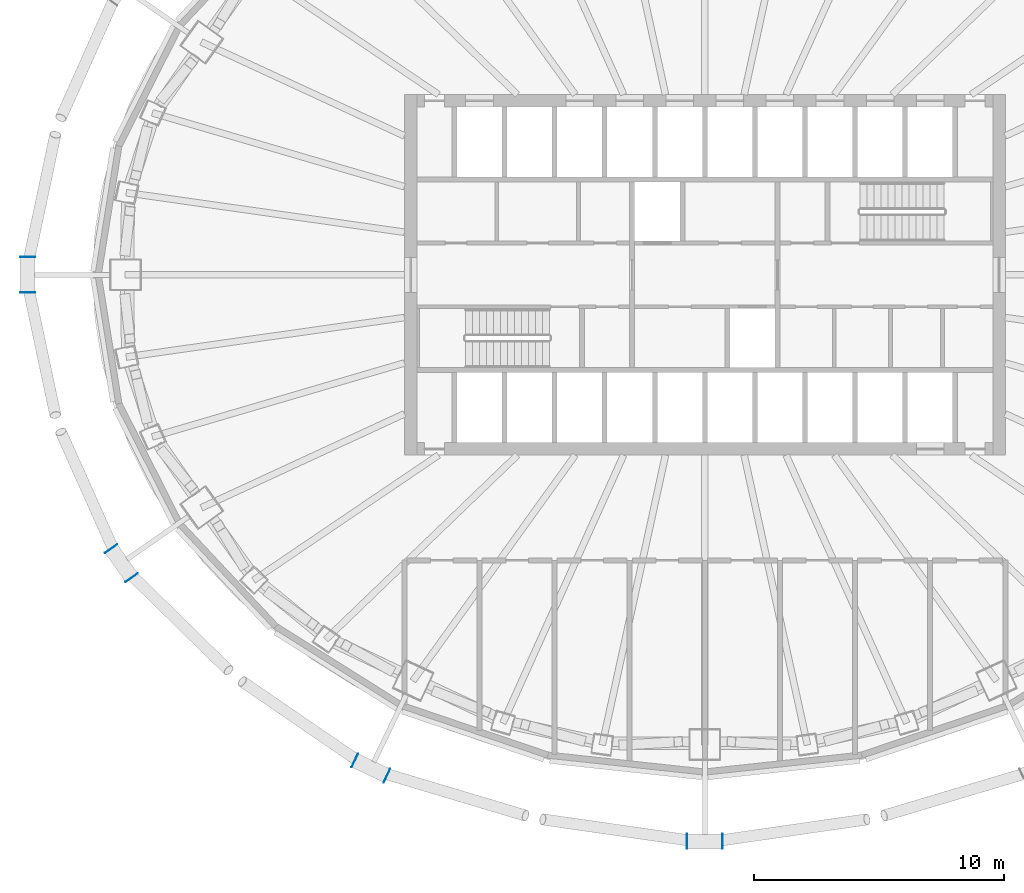
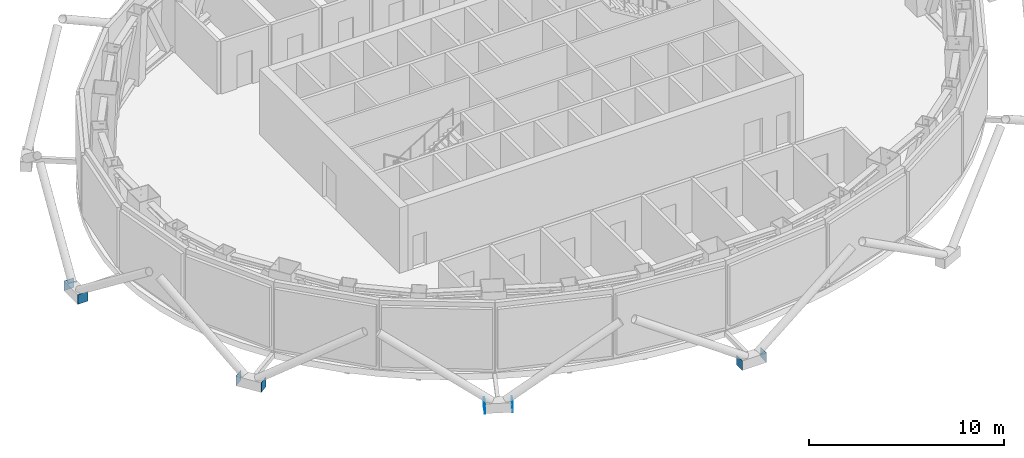
# One storey, part 9 of 16: 8 discrete accessories.
"""IFC4 building model written with IfcOpenShell, lengths in metres."""

from ifc_helpers import new_model, si_unit, direction, frame, origin, origin_2d, place, context, subcontext, project, spatial, rectangle, extrude, material, layer, layer_set, type_object, element, save


model = new_model("IFC4")

# Units and contexts
model_context = context("Model", 3, precision=1e-05, world=origin(), true_north=direction((0.0, 1.0)))
body_context = subcontext(model_context, "Body", "Model", "MODEL_VIEW")
ifc_project = project(units=[si_unit("LENGTHUNIT", "METRE"), si_unit("AREAUNIT", "SQUARE_METRE"), si_unit("VOLUMEUNIT", "CUBIC_METRE"), si_unit("PLANEANGLEUNIT", "RADIAN"), si_unit("MASSUNIT", "GRAM", prefix="KILO")], contexts=[model_context])

# Site, building, storey
site_placement = place(None, origin())
site = spatial("IfcSite", under=ifc_project, at=site_placement, CompositionType="ELEMENT")
building_placement = place(site_placement, origin())
building = spatial("IfcBuilding", under=site, at=building_placement, Name="Siaravel Broadcast Tower", CompositionType="ELEMENT")
storey_placement = place(building_placement, frame((0.0, 0.0, 152.60009765625)))
storey = spatial("IfcBuildingStorey", under=building, at=storey_placement, Name="L36", CompositionType="ELEMENT", Elevation=152.60009765625)

# Discrete accessories
ifc_material = material(Name="Steel S355", Category="steel")
ifc_layer = layer(ifc_material, 0.02001953125)
ifc_layer_set = layer_set([ifc_layer], Name="Steel S355")
discrete_accessory_type = type_object("IfcDiscreteAccessoryType", Name="Steel end plate 20 mm", PredefinedType="USERDEFINED", material=ifc_layer_set)
for number, where, z_axis, x_axis, name in (
    (1, (-27.052734375, -0.7099609375, -0.500244140625), (0.0, 0.0, 1.0), (0.0, -1.0, 0.0), "End plate R15 station 36A"),
    (2, (-27.052734375, 0.7099609375, -0.500244140625), (0.0, 0.0, 1.0), (0.0, -1.0, 0.0), "End plate R15 station 36B"),
    (3, (-22.892822265625, -12.093017578125, -0.500244140625), (0.0, 0.0, 1.0), (0.576118513, -0.817366172, 0.0), "End plate R15 station 42A"),
    (4, (-23.7109375, -10.9326171875, -0.500244140625), (0.0, 0.0, 1.0), (0.576118513, -0.817366172, 0.0), "End plate R15 station 42B"),
    (5, (-12.6962890625, -20.0, -0.500244140625), (0.0, 0.0, 1.0), (0.904006456, -0.427518805, 0.0), "End plate R15 station 48A"),
    (6, (-13.9794921875, -19.39306640625, -0.500244140625), (0.0, 0.0, 1.0), (0.904006456, -0.427518805, 0.0), "End plate R15 station 48B"),
    (7, (0.7099609375, -22.629638671875, -0.500244140625), (0.0, 0.0, 1.0), (1.0, 0.0, 0.0), "End plate R15 station 54A"),
    (8, (-0.7099609375, -22.629638671875, -0.500244140625), (0.0, 0.0, 1.0), (1.0, 0.0, 0.0), "End plate R15 station 54B"),
):
    element("IfcDiscreteAccessory", number, at=place(storey_placement, frame(where, z_axis=z_axis, x_axis=x_axis)), inside=storey, type_object=discrete_accessory_type, Name=name, ObjectType="END PLATE", PredefinedType="USERDEFINED", context=body_context, shape_type="SweptSolid", body=[
        extrude(rectangle(XDim=0.02001953125, YDim=0.60009765625, at=origin_2d()), origin(), (0.0, 0.0, 1.0), 0.60009765625),
    ])

save(model, "model.ifc")
